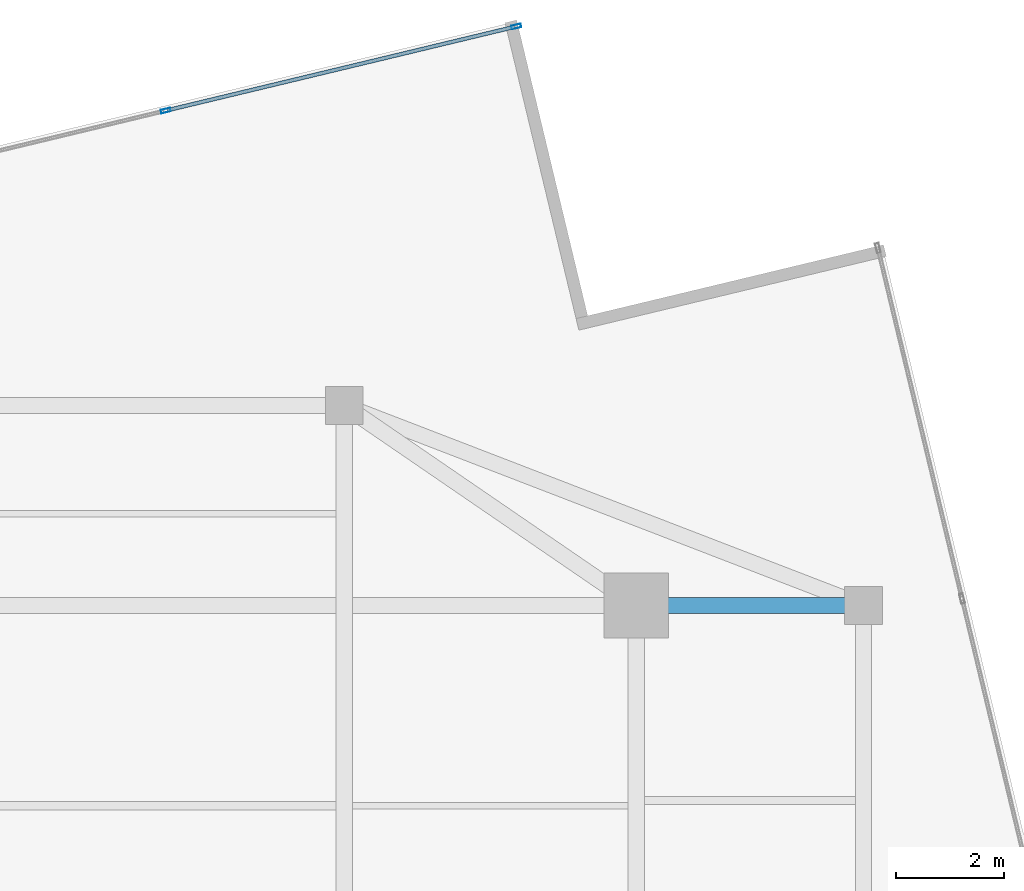
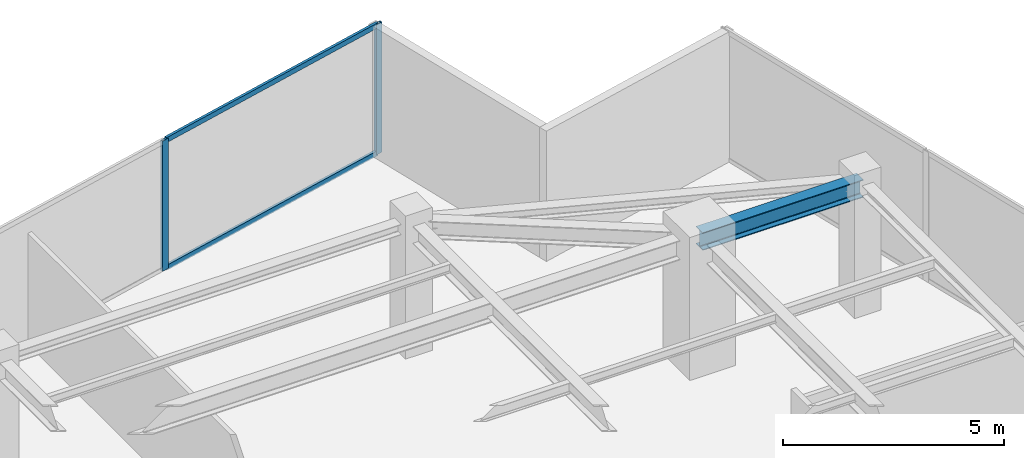
# One storey, part 16 of 22: 4 members, 1 beam, 1 element without a shape of its own.
"""IFC4 building model written with IfcOpenShell, lengths in metres."""

from ifc_helpers import new_model, si_unit, direction, frame, origin, origin_2d, place, context, subcontext, project, spatial, hollow_rectangle, i_section, extrude, source, transform, mapped, material, material_profile, profile_set, type_object, type_shapes, element, aggregate, save


model = new_model("IFC4")

# Units and contexts
model_context = context("Model", 3, precision=1e-05, world=origin(), true_north=direction((0.0, 1.0)))
body_context = subcontext(model_context, "Body", "Model", "MODEL_VIEW")
ifc_project = project(units=[si_unit("LENGTHUNIT", "METRE"), si_unit("AREAUNIT", "SQUARE_METRE"), si_unit("VOLUMEUNIT", "CUBIC_METRE"), si_unit("PLANEANGLEUNIT", "RADIAN"), si_unit("MASSUNIT", "GRAM", prefix="KILO")], contexts=[model_context])

# Site, building, storey
site_placement = place(None, origin())
site = spatial("IfcSite", under=ifc_project, at=site_placement, CompositionType="ELEMENT")
building_placement = place(site_placement, origin())
building = spatial("IfcBuilding", under=site, at=building_placement, Name="Krantzveldt Concourse Tower", CompositionType="ELEMENT")
storey_placement = place(building_placement, frame((0.0, 0.0, 359.300048828125)))
storey = spatial("IfcBuildingStorey", under=building, at=storey_placement, Name="L88", CompositionType="ELEMENT", Elevation=359.300048828125)

# Beam
ifc_material_1 = material(Name="Steel S355JR", Category="steel")
ifc_material_profile_1 = material_profile(ifc_material_1, i_section(OverallWidth=0.300048828125, OverallDepth=0.489990234375, WebThickness=0.011962890625, FlangeThickness=0.02294921875, FilletRadius=0.027099609375, at=origin_2d()), Name="Steel S355JR", Category="steel")
ifc_profile_set_1 = profile_set([ifc_material_profile_1], Name="Steel S355JR - HEA 500")
beam_type = type_object("IfcBeamType", Name="BM-B-HEA500", PredefinedType="BEAM", material=ifc_profile_set_1)
shared_shape_1 = source(origin(), body_context, "Body", "SweptSolid", [
    extrude(i_section(OverallWidth=0.300048828125, OverallDepth=0.489990234375, WebThickness=0.011962890625, FlangeThickness=0.02294921875, FilletRadius=0.027099609375, at=origin_2d()), origin(), (0.0, 0.0, 1.0), 4.199951171875),
])
type_shapes(beam_type, [shared_shape_1])
beam_placement = place(storey_placement, frame((46.800048828125, 37.5, 3.35498046875), z_axis=(1.0, 0.0, 0.0), x_axis=(0.0, 1.0, 0.0)))
element("IfcBeam", 1, at=beam_placement, inside=storey, type_object=beam_type, Name="L88 Tower Girder BR-RR3", PredefinedType="BEAM", context=body_context, shape_type="MappedRepresentation", body=[
    mapped(shared_shape_1, transform((0.0, 0.0, 0.0), x_axis=(1.0, 0.0, 0.0), y_axis=(0.0, 1.0, 0.0), z_axis=(0.0, 0.0, 1.0), scale=1.0)),
])

# Curtain wall, members
ifc_material_2 = material(Name="Anodised aluminium 6063-T6", Category="aluminium")
curtain_wall_type = type_object("IfcCurtainWallType", Name="CW4", PredefinedType="USERDEFINED", material=ifc_material_2)
curtain_wall_placement = place(storey_placement, origin())
curtain_wall = element("IfcCurtainWall", 2, at=curtain_wall_placement, inside=storey, type_object=curtain_wall_type, Name="CW-L88-F01", ObjectType="UNITISED CURTAIN WALL", PredefinedType="USERDEFINED")
ifc_material_profile_2 = material_profile(ifc_material_2, hollow_rectangle(XDim=0.070068359375, YDim=0.139892578125, WallThickness=0.0048828125, at=origin_2d()), Name="Anodised aluminium 6063-T6", Category="aluminium")
ifc_profile_set_2 = profile_set([ifc_material_profile_2], Name="Anodised aluminium 6063-T6 - ALU-TRAN 140x70x5")
member_type_1 = type_object("IfcMemberType", Name="CW-TRN-150", PredefinedType="USERDEFINED", material=ifc_profile_set_2)
shared_shape_2 = source(origin(), body_context, "Body", "SweptSolid", [
    extrude(hollow_rectangle(XDim=0.070068359375, YDim=0.139892578125, WallThickness=0.0048828125, at=origin_2d()), origin(), (0.0, 0.0, 1.0), 6.59521484375),
])
type_shapes(member_type_1, [shared_shape_2])
member_1_placement = place(storey_placement, frame((44.54736328125, 48.199462890625, 0.034912109375), z_axis=(-0.972362767007, -0.23347515786, 0.0), x_axis=(0.23347515786, -0.972362767007, 0.0)))
member_1 = element("IfcMember", 3, at=member_1_placement, type_object=member_type_1, Name="CW-Z56 transom 1.1", ObjectType="TRANSOM", PredefinedType="USERDEFINED", context=body_context, shape_type="MappedRepresentation", body=[
    mapped(shared_shape_2, transform((0.0, 0.0, 0.0), x_axis=(1.0, 0.0, 0.0), y_axis=(0.0, 1.0, 0.0), z_axis=(0.0, 0.0, 1.0), scale=1.0)),
])
member_2_placement = place(storey_placement, frame((44.54736328125, 48.199462890625, 3.56494140625), z_axis=(-0.972362767007, -0.23347515786, 0.0), x_axis=(0.23347515786, -0.972362767007, 0.0)))
member_2 = element("IfcMember", 4, at=member_2_placement, type_object=member_type_1, Name="CW-Z56 transom 1.2", ObjectType="TRANSOM", PredefinedType="USERDEFINED", context=body_context, shape_type="MappedRepresentation", body=[
    mapped(shared_shape_2, transform((0.0, 0.0, 0.0), x_axis=(1.0, 0.0, 0.0), y_axis=(0.0, 1.0, 0.0), z_axis=(0.0, 0.0, 1.0), scale=1.0)),
])
ifc_material_profile_3 = material_profile(ifc_material_2, hollow_rectangle(XDim=0.070068359375, YDim=0.179931640625, WallThickness=0.0048828125, at=origin_2d()), Name="Anodised aluminium 6063-T6", Category="aluminium")
ifc_profile_set_3 = profile_set([ifc_material_profile_3], Name="Anodised aluminium 6063-T6 - ALU-MULL 180x70x5")
member_type_2 = type_object("IfcMemberType", Name="CW-MUL-180", PredefinedType="MULLION", material=ifc_profile_set_3)
shared_shape_3 = source(origin(), body_context, "Body", "SweptSolid", [
    extrude(hollow_rectangle(XDim=0.070068359375, YDim=0.179931640625, WallThickness=0.0048828125, at=origin_2d()), origin(), (0.0, 0.0, 1.0), 3.599853515625),
])
type_shapes(member_type_2, [shared_shape_3])
member_3_placement = place(storey_placement, frame((44.581298828125, 48.20751953125, 0.0), z_axis=(0.0, 0.0, 1.0), x_axis=(0.233445461796, -0.972369896884, 0.0)))
member_3 = element("IfcMember", 5, at=member_3_placement, type_object=member_type_2, Name="CW-Z56 mullion 1", PredefinedType="MULLION", context=body_context, shape_type="MappedRepresentation", body=[
    mapped(shared_shape_3, transform((0.0, 0.0, 0.0), x_axis=(1.0, 0.0, 0.0), y_axis=(0.0, 1.0, 0.0), z_axis=(0.0, 0.0, 1.0), scale=1.0)),
])
member_4_placement = place(storey_placement, frame((38.100341796875, 46.651611328125, 0.0), z_axis=(0.0, 0.0, 1.0), x_axis=(0.233445461796, -0.972369896884, 0.0)))
member_4 = element("IfcMember", 6, at=member_4_placement, type_object=member_type_2, Name="CW-Z56 mullion 2", PredefinedType="MULLION", context=body_context, shape_type="MappedRepresentation", body=[
    mapped(shared_shape_3, transform((0.0, 0.0, 0.0), x_axis=(1.0, 0.0, 0.0), y_axis=(0.0, 1.0, 0.0), z_axis=(0.0, 0.0, 1.0), scale=1.0)),
])
aggregate(curtain_wall, [member_3, member_4, member_1, member_2])

save(model, "model.ifc")
